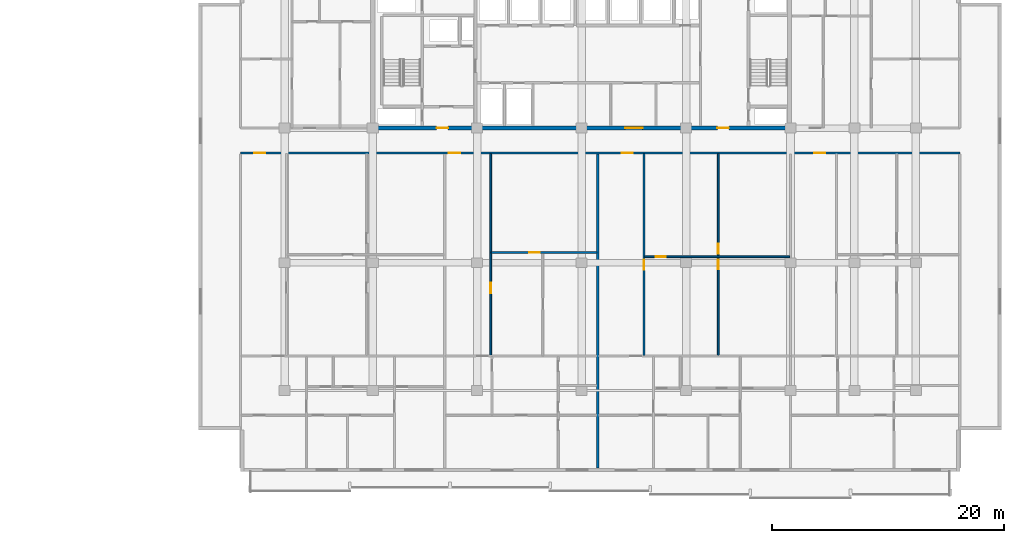
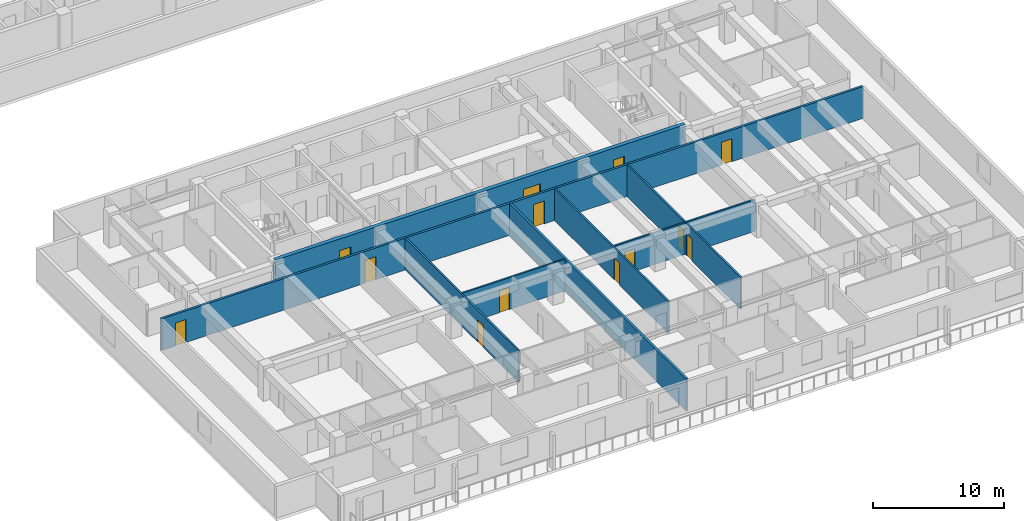
# One storey, part 6 of 23: 13 doors, 8 walls, 13 openings.
"""IFC4 building model written with IfcOpenShell, lengths in metres."""

from ifc_helpers import new_model, si_unit, direction, frame, frame_2d, origin, place, context, subcontext, project, spatial, rectangle, extrude, material, layer, layer_set, type_object, element, fill, save


model = new_model("IFC4")

# Units and contexts
model_context = context("Model", 3, precision=1e-05, world=origin(), true_north=direction((0.0, 1.0)))
body_context = subcontext(model_context, "Body", "Model", "MODEL_VIEW")
ifc_project = project(units=[si_unit("LENGTHUNIT", "METRE"), si_unit("AREAUNIT", "SQUARE_METRE"), si_unit("VOLUMEUNIT", "CUBIC_METRE"), si_unit("PLANEANGLEUNIT", "RADIAN"), si_unit("MASSUNIT", "GRAM", prefix="KILO")], contexts=[model_context])

# Site, building, storey
site_placement = place(None, origin())
site = spatial("IfcSite", under=ifc_project, at=site_placement, CompositionType="ELEMENT")
building_placement = place(site_placement, origin())
building = spatial("IfcBuilding", under=site, at=building_placement, Name="Korimba Cascade Residences", CompositionType="ELEMENT")
storey_placement = place(building_placement, frame((0.0, 0.0, 72.75)))
storey = spatial("IfcBuildingStorey", under=building, at=storey_placement, Name="L20", CompositionType="ELEMENT", Elevation=72.75)

# Wall, openings, doors
ifc_material_1 = material(Name="Concrete C65/80", Category="concrete")
ifc_layer_1 = layer(ifc_material_1, 0.35009765625)
ifc_layer_set_1 = layer_set([ifc_layer_1], Name="Concrete C65/80")
wall_type_1 = type_object("IfcWallType", Name="WAL-CORE-350", PredefinedType="SHEAR", material=ifc_layer_set_1)
wall_1_placement = place(storey_placement, frame((81.925048828125, 18.39990234375, 0.0), z_axis=(0.0, 0.0, 1.0), x_axis=(1.0, 0.0, 0.0)))
wall_1 = element("IfcWall", 1, at=wall_1_placement, inside=storey, type_object=wall_type_1, Name="L20 Core Shear Wall CW-L20-T2-S", PredefinedType="SHEAR", context=body_context, shape_type="SweptSolid", body=[
    extrude(rectangle(XDim=36.264892578125, YDim=0.35009765625, at=frame_2d((18.13232421875, 0.0))), origin(), (0.0, 0.0, 1.0), 3.25),
])
opening_1_placement = place(wall_1_placement, frame((5.675048828125, 0.0, 0.0)))
opening_1 = element("IfcOpeningElement", 2, at=opening_1_placement, cuts=wall_1, Name="Opening D-FD5", PredefinedType="OPENING", context=body_context, shape_type="SweptSolid", body=[
    extrude(rectangle(XDim=1.0, YDim=2.14990234375, at=frame_2d((0.5, 1.074951171875))), frame((0.0, 0.18505859375, 0.0), z_axis=(0.0, -1.0, 0.0), x_axis=(1.0, 0.0, 0.0)), (0.0, 0.0, 1.0), 0.3701171875),
])
opening_2_placement = place(wall_1_placement, frame((21.925048828125, 0.0, 0.0)))
opening_2 = element("IfcOpeningElement", 3, at=opening_2_placement, cuts=wall_1, Name="Opening D-FD8", PredefinedType="OPENING", context=body_context, shape_type="SweptSolid", body=[
    extrude(rectangle(XDim=1.5, YDim=2.199951171875, at=frame_2d((0.75, 1.10009765625))), frame((0.0, 0.18505859375, 0.0), z_axis=(0.0, -1.0, 0.0), x_axis=(1.0, 0.0, 0.0)), (0.0, 0.0, 1.0), 0.3701171875),
])
opening_3_placement = place(wall_1_placement, frame((29.875, 0.0, 0.0)))
opening_3 = element("IfcOpeningElement", 4, at=opening_3_placement, cuts=wall_1, Name="Opening D-FD5", PredefinedType="OPENING", context=body_context, shape_type="SweptSolid", body=[
    extrude(rectangle(XDim=1.0, YDim=2.14990234375, at=frame_2d((0.5, 1.074951171875))), frame((0.0, 0.18505859375, 0.0), z_axis=(0.0, -1.0, 0.0), x_axis=(1.0, 0.0, 0.0)), (0.0, 0.0, 1.0), 0.3701171875),
])
ifc_material_2 = material(Name="Fire-Rated Acoustic Timber Vestibule Door", Category="wood")
door_type_1 = type_object("IfcDoorType", Name="DR-FD90-1000", OperationType="NOTDEFINED", PredefinedType="DOOR", material=ifc_material_2)
door_1_placement = place(opening_1_placement, origin())
door_1 = element("IfcDoor", 5, at=door_1_placement, inside=storey, type_object=door_type_1, Name="L20 T2 West Core Vestibule Fire Door", OperationType="SINGLE_SWING_RIGHT", OverallHeight=2.14990234375, OverallWidth=1.0, PredefinedType="DOOR", context=body_context, shape_type="SweptSolid", body=[
    extrude(rectangle(XDim=1.0, YDim=2.14990234375, at=frame_2d((0.5, 1.074951171875))), frame((0.0, 0.02490234375, 0.0), z_axis=(0.0, -1.0, 0.0), x_axis=(1.0, 0.0, 0.0)), (0.0, 0.0, 1.0), 0.050048828125),
])
fill(opening_1, door_1)
door_2_placement = place(opening_3_placement, origin())
door_2 = element("IfcDoor", 6, at=door_2_placement, inside=storey, type_object=door_type_1, Name="L20 T2 East Stair Vestibule Fire Door", OperationType="SINGLE_SWING_LEFT", OverallHeight=2.14990234375, OverallWidth=1.0, PredefinedType="DOOR", context=body_context, shape_type="SweptSolid", body=[
    extrude(rectangle(XDim=1.0, YDim=2.14990234375, at=frame_2d((0.5, 1.074951171875))), frame((0.0, 0.02490234375, 0.0), z_axis=(0.0, -1.0, 0.0), x_axis=(1.0, 0.0, 0.0)), (0.0, 0.0, 1.0), 0.050048828125),
])
fill(opening_3, door_2)
ifc_material_3 = material(Name="Fire-Rated Glazed Lift Lobby Double Door", Category="glass")
door_type_2 = type_object("IfcDoorType", Name="DR-FD90-1500", OperationType="NOTDEFINED", PredefinedType="DOOR", material=ifc_material_3)
door_3_placement = place(opening_2_placement, origin())
door_3 = element("IfcDoor", 7, at=door_3_placement, inside=storey, type_object=door_type_2, Name="L20 T2 Lift Lobby Fire Door", OperationType="DOUBLE_DOOR_SINGLE_SWING", OverallHeight=2.199951171875, OverallWidth=1.5, PredefinedType="DOOR", context=body_context, shape_type="SweptSolid", body=[
    extrude(rectangle(XDim=1.5, YDim=2.199951171875, at=frame_2d((0.75, 1.10009765625))), frame((0.0, 0.02490234375, 0.0), z_axis=(0.0, -1.0, 0.0), x_axis=(1.0, 0.0, 0.0)), (0.0, 0.0, 1.0), 0.050048828125),
])
fill(opening_2, door_3)

# Wall
ifc_material_4 = material(Name="Precast concrete C40/50", Category="concrete")
ifc_layer_2 = layer(ifc_material_4, 0.199951171875)
ifc_layer_set_2 = layer_set([ifc_layer_2], Name="Precast concrete C40/50")
wall_type_2 = type_object("IfcWallType", Name="WAL-IT-200", PredefinedType="PARTITIONING", material=ifc_layer_set_2)
wall_2_placement = place(storey_placement, frame((101.5, -10.89990234375, 0.0), z_axis=(0.0, 0.0, 1.0), x_axis=(0.0, 1.0, 0.0)))
element("IfcWall", 8, at=wall_2_placement, inside=storey, type_object=wall_type_2, Name="L20 Partition Wall WAL-L20-T2-DEM-2", PredefinedType="PARTITIONING", context=body_context, shape_type="SweptSolid", body=[
    extrude(rectangle(XDim=27.06982421875, YDim=0.199951171875, at=frame_2d((13.534912109375, 0.0))), origin(), (0.0, 0.0, 1.0), 2.969970703125),
])

# Wall, openings, doors
wall_3_placement = place(storey_placement, frame((70.699951171875, 16.25, 0.0), z_axis=(0.0, 0.0, 1.0), x_axis=(1.0, 0.0, 0.0)))
wall_3 = element("IfcWall", 9, at=wall_3_placement, inside=storey, type_object=wall_type_2, Name="L20 Partition Wall WAL-L20-T2-CORS", PredefinedType="PARTITIONING", context=body_context, shape_type="SweptSolid", body=[
    extrude(rectangle(XDim=62.0, YDim=0.199951171875, at=frame_2d((31.0, 0.0))), origin(), (0.0, 0.0, 1.0), 2.969970703125),
])
opening_4_placement = place(wall_3_placement, frame((1.18603515625, 0.0, 0.0)))
opening_4 = element("IfcOpeningElement", 10, at=opening_4_placement, cuts=wall_3, Name="Opening D-UN1", PredefinedType="OPENING", context=body_context, shape_type="SweptSolid", body=[
    extrude(rectangle(XDim=0.949951171875, YDim=2.14990234375, at=frame_2d((0.47509765625, 1.074951171875))), frame((0.0, 0.10986328125, 0.0), z_axis=(0.0, -1.0, 0.0), x_axis=(1.0, 0.0, 0.0)), (0.0, 0.0, 1.0), 0.219970703125),
])
opening_5_placement = place(wall_3_placement, frame((17.969970703125, 0.0, 0.0)))
opening_5 = element("IfcOpeningElement", 11, at=opening_5_placement, cuts=wall_3, Name="Opening D-UN1", PredefinedType="OPENING", context=body_context, shape_type="SweptSolid", body=[
    extrude(rectangle(XDim=0.949951171875, YDim=2.14990234375, at=frame_2d((0.47509765625, 1.074951171875))), frame((0.0, 0.10986328125, 0.0), z_axis=(0.0, -1.0, 0.0), x_axis=(1.0, 0.0, 0.0)), (0.0, 0.0, 1.0), 0.219970703125),
])
opening_6_placement = place(wall_3_placement, frame((32.844970703125, 0.0, 0.0)))
opening_6 = element("IfcOpeningElement", 12, at=opening_6_placement, cuts=wall_3, Name="Opening D-UN1", PredefinedType="OPENING", context=body_context, shape_type="SweptSolid", body=[
    extrude(rectangle(XDim=0.949951171875, YDim=2.14990234375, at=frame_2d((0.47509765625, 1.074951171875))), frame((0.0, 0.10986328125, 0.0), z_axis=(0.0, -1.0, 0.0), x_axis=(1.0, 0.0, 0.0)), (0.0, 0.0, 1.0), 0.219970703125),
])
opening_7_placement = place(wall_3_placement, frame((49.445068359375, 0.0, 0.0)))
opening_7 = element("IfcOpeningElement", 13, at=opening_7_placement, cuts=wall_3, Name="Opening D-UN1", PredefinedType="OPENING", context=body_context, shape_type="SweptSolid", body=[
    extrude(rectangle(XDim=0.949951171875, YDim=2.14990234375, at=frame_2d((0.47509765625, 1.074951171875))), frame((0.0, 0.10986328125, 0.0), z_axis=(0.0, -1.0, 0.0), x_axis=(1.0, 0.0, 0.0)), (0.0, 0.0, 1.0), 0.219970703125),
])
ifc_material_5 = material(Name="Fire-Rated Hardwood Apartment Entrance Door", Category="wood")
door_type_3 = type_object("IfcDoorType", Name="DR-FD60-950", OperationType="NOTDEFINED", PredefinedType="DOOR", material=ifc_material_5)
door_4_placement = place(opening_4_placement, origin())
door_4 = element("IfcDoor", 14, at=door_4_placement, inside=storey, type_object=door_type_3, Name="Unit L20-T2-U01 Entrance Door", OperationType="SINGLE_SWING_RIGHT", OverallHeight=2.14990234375, OverallWidth=0.949951171875, PredefinedType="DOOR", context=body_context, shape_type="SweptSolid", body=[
    extrude(rectangle(XDim=0.949951171875, YDim=2.14990234375, at=frame_2d((0.47509765625, 1.074951171875))), frame((0.0, 0.02490234375, 0.0), z_axis=(0.0, -1.0, 0.0), x_axis=(1.0, 0.0, 0.0)), (0.0, 0.0, 1.0), 0.050048828125),
])
fill(opening_4, door_4)
door_5_placement = place(opening_5_placement, origin())
door_5 = element("IfcDoor", 15, at=door_5_placement, inside=storey, type_object=door_type_3, Name="Unit L20-T2-U02 Entrance Door", OperationType="SINGLE_SWING_LEFT", OverallHeight=2.14990234375, OverallWidth=0.949951171875, PredefinedType="DOOR", context=body_context, shape_type="SweptSolid", body=[
    extrude(rectangle(XDim=0.949951171875, YDim=2.14990234375, at=frame_2d((0.47509765625, 1.074951171875))), frame((0.0, 0.02490234375, 0.0), z_axis=(0.0, -1.0, 0.0), x_axis=(1.0, 0.0, 0.0)), (0.0, 0.0, 1.0), 0.050048828125),
])
fill(opening_5, door_5)
door_6_placement = place(opening_6_placement, origin())
door_6 = element("IfcDoor", 16, at=door_6_placement, inside=storey, type_object=door_type_3, Name="Unit L20-T2-U03 Entrance Door", OperationType="SINGLE_SWING_RIGHT", OverallHeight=2.14990234375, OverallWidth=0.949951171875, PredefinedType="DOOR", context=body_context, shape_type="SweptSolid", body=[
    extrude(rectangle(XDim=0.949951171875, YDim=2.14990234375, at=frame_2d((0.47509765625, 1.074951171875))), frame((0.0, 0.02490234375, 0.0), z_axis=(0.0, -1.0, 0.0), x_axis=(1.0, 0.0, 0.0)), (0.0, 0.0, 1.0), 0.050048828125),
])
fill(opening_6, door_6)
door_7_placement = place(opening_7_placement, origin())
door_7 = element("IfcDoor", 17, at=door_7_placement, inside=storey, type_object=door_type_3, Name="Unit L20-T2-U04 Entrance Door", OperationType="SINGLE_SWING_LEFT", OverallHeight=2.14990234375, OverallWidth=0.949951171875, PredefinedType="DOOR", context=body_context, shape_type="SweptSolid", body=[
    extrude(rectangle(XDim=0.949951171875, YDim=2.14990234375, at=frame_2d((0.47509765625, 1.074951171875))), frame((0.0, 0.02490234375, 0.0), z_axis=(0.0, -1.0, 0.0), x_axis=(1.0, 0.0, 0.0)), (0.0, 0.0, 1.0), 0.050048828125),
])
fill(opening_7, door_7)

# Wall, opening, door
ifc_material_6 = material(Name="Insulated Acoustic Stud Partition", Category="gypsum")
ifc_layer_3 = layer(ifc_material_6, 0.14990234375)
ifc_layer_set_3 = layer_set([ifc_layer_3], Name="Insulated Acoustic Stud Partition")
wall_type_3 = type_object("IfcWallType", Name="WAL-PART-150", PredefinedType="PARTITIONING", material=ifc_layer_set_3)
wall_4_placement = place(storey_placement, frame((92.330078125, 7.669921875, 0.0), z_axis=(0.0, 0.0, 1.0), x_axis=(1.0, 0.0, 0.0)))
wall_4 = element("IfcWall", 18, at=wall_4_placement, inside=storey, type_object=wall_type_3, Name="L20 Partition Wall WAL-L20-T2-U02-FMH", PredefinedType="PARTITIONING", context=body_context, shape_type="SweptSolid", body=[
    extrude(rectangle(XDim=9.08984375, YDim=0.14990234375, at=frame_2d((4.544921875, 0.0))), origin(), (0.0, 0.0, 1.0), 2.969970703125),
])
opening_8_placement = place(wall_4_placement, frame((3.265380859375, 0.0, 0.0)))
opening_8 = element("IfcOpeningElement", 19, at=opening_8_placement, cuts=wall_4, Name="Opening D-IN2", PredefinedType="OPENING", context=body_context, shape_type="SweptSolid", body=[
    extrude(rectangle(XDim=0.8798828125, YDim=2.06005859375, at=frame_2d((0.43994140625, 1.030029296875))), frame((0.0, 0.0849609375, 0.0), z_axis=(0.0, -1.0, 0.0), x_axis=(1.0, 0.0, 0.0)), (0.0, 0.0, 1.0), 0.169921875),
])
ifc_material_7 = material(Name="Acoustic Timber Bedroom Door", Category="wood")
door_type_4 = type_object("IfcDoorType", Name="DR-INT-880", OperationType="NOTDEFINED", PredefinedType="DOOR", material=ifc_material_7)
door_8_placement = place(opening_8_placement, origin())
door_8 = element("IfcDoor", 20, at=door_8_placement, inside=storey, type_object=door_type_4, Name="L20-T2-U02 Library Salon Door", OperationType="SINGLE_SWING_LEFT", OverallHeight=2.06005859375, OverallWidth=0.8798828125, PredefinedType="DOOR", context=body_context, shape_type="SweptSolid", body=[
    extrude(rectangle(XDim=0.8798828125, YDim=2.06005859375, at=frame_2d((0.43994140625, 1.030029296875))), frame((0.0, 0.02490234375, 0.0), z_axis=(0.0, -1.0, 0.0), x_axis=(1.0, 0.0, 0.0)), (0.0, 0.0, 1.0), 0.050048828125),
])
fill(opening_8, door_8)

wall_5_placement = place(storey_placement, frame((92.27001953125, -1.2099609375, 0.0), z_axis=(0.0, 0.0, 1.0), x_axis=(0.0, 1.0, 0.0)))
wall_5 = element("IfcWall", 21, at=wall_5_placement, inside=storey, type_object=wall_type_3, Name="L20 Partition Wall WAL-L20-T2-U02-FV", PredefinedType="PARTITIONING", context=body_context, shape_type="SweptSolid", body=[
    extrude(rectangle(XDim=17.39990234375, YDim=0.14990234375, at=frame_2d((8.699951171875, 0.0))), origin(), (0.0, 0.0, 1.0), 2.969970703125),
])
opening_9_placement = place(wall_5_placement, frame((5.382080078125, 0.0, 0.0)))
opening_9 = element("IfcOpeningElement", 22, at=opening_9_placement, cuts=wall_5, Name="Opening D-IN2", PredefinedType="OPENING", context=body_context, shape_type="SweptSolid", body=[
    extrude(rectangle(XDim=0.8798828125, YDim=2.06005859375, at=frame_2d((0.43994140625, 1.030029296875))), frame((0.0, 0.0849609375, 0.0), z_axis=(0.0, -1.0, 0.0), x_axis=(1.0, 0.0, 0.0)), (0.0, 0.0, 1.0), 0.169921875),
])
door_9_placement = place(opening_9_placement, origin())
door_9 = element("IfcDoor", 23, at=door_9_placement, inside=storey, type_object=door_type_4, Name="L20-T2-U02 Media Lounge Door", OperationType="SINGLE_SWING_RIGHT", OverallHeight=2.06005859375, OverallWidth=0.8798828125, PredefinedType="DOOR", context=body_context, shape_type="SweptSolid", body=[
    extrude(rectangle(XDim=0.8798828125, YDim=2.06005859375, at=frame_2d((0.43994140625, 1.030029296875))), frame((0.0, 0.02490234375, 0.0), z_axis=(0.0, -1.0, 0.0), x_axis=(1.0, 0.0, 0.0)), (0.0, 0.0, 1.0), 0.050048828125),
])
fill(opening_9, door_9)

# Wall, openings, doors
wall_6_placement = place(storey_placement, frame((111.875, -1.2099609375, 0.0), z_axis=(0.0, 0.0, 1.0), x_axis=(0.0, 1.0, 0.0)))
wall_6 = element("IfcWall", 24, at=wall_6_placement, inside=storey, type_object=wall_type_3, Name="L20 Partition Wall WAL-L20-T2-U03-FMV", PredefinedType="PARTITIONING", context=body_context, shape_type="SweptSolid", body=[
    extrude(rectangle(XDim=17.39990234375, YDim=0.14990234375, at=frame_2d((8.699951171875, 0.0))), origin(), (0.0, 0.0, 1.0), 2.969970703125),
])
opening_10_placement = place(wall_6_placement, frame((7.429931640625, 0.0, 0.0)))
opening_10 = element("IfcOpeningElement", 25, at=opening_10_placement, cuts=wall_6, Name="Opening D-BT1", PredefinedType="OPENING", context=body_context, shape_type="SweptSolid", body=[
    extrude(rectangle(XDim=0.840087890625, YDim=2.0400390625, at=frame_2d((0.419921875, 1.02001953125))), frame((0.0, 0.0849609375, 0.0), z_axis=(0.0, -1.0, 0.0), x_axis=(1.0, 0.0, 0.0)), (0.0, 0.0, 1.0), 0.169921875),
])
opening_11_placement = place(wall_6_placement, frame((8.77001953125, 0.0, 0.0)))
opening_11 = element("IfcOpeningElement", 26, at=opening_11_placement, cuts=wall_6, Name="Opening D-IN2", PredefinedType="OPENING", context=body_context, shape_type="SweptSolid", body=[
    extrude(rectangle(XDim=0.8798828125, YDim=2.06005859375, at=frame_2d((0.43994140625, 1.030029296875))), frame((0.0, 0.0849609375, 0.0), z_axis=(0.0, -1.0, 0.0), x_axis=(1.0, 0.0, 0.0)), (0.0, 0.0, 1.0), 0.169921875),
])
ifc_material_8 = material(Name="Moisture-Resistant Bathroom Timber Door", Category="wood")
door_type_5 = type_object("IfcDoorType", Name="DR-INT-850", OperationType="NOTDEFINED", PredefinedType="DOOR", material=ifc_material_8)
door_10_placement = place(opening_10_placement, origin())
door_10 = element("IfcDoor", 27, at=door_10_placement, inside=storey, type_object=door_type_5, Name="L20-T2-U03 Wardrobe Door", OperationType="SINGLE_SWING_LEFT", OverallHeight=2.0400390625, OverallWidth=0.840087890625, PredefinedType="DOOR", context=body_context, shape_type="SweptSolid", body=[
    extrude(rectangle(XDim=0.840087890625, YDim=2.0400390625, at=frame_2d((0.419921875, 1.02001953125))), frame((0.0, 0.02490234375, 0.0), z_axis=(0.0, -1.0, 0.0), x_axis=(1.0, 0.0, 0.0)), (0.0, 0.0, 1.0), 0.050048828125),
])
fill(opening_10, door_10)
door_11_placement = place(opening_11_placement, origin())
door_11 = element("IfcDoor", 28, at=door_11_placement, inside=storey, type_object=door_type_4, Name="L20-T2-U03 Music Lounge Door", OperationType="SINGLE_SWING_RIGHT", OverallHeight=2.06005859375, OverallWidth=0.8798828125, PredefinedType="DOOR", context=body_context, shape_type="SweptSolid", body=[
    extrude(rectangle(XDim=0.8798828125, YDim=2.06005859375, at=frame_2d((0.43994140625, 1.030029296875))), frame((0.0, 0.02490234375, 0.0), z_axis=(0.0, -1.0, 0.0), x_axis=(1.0, 0.0, 0.0)), (0.0, 0.0, 1.0), 0.050048828125),
])
fill(opening_11, door_11)

# Wall, opening, door
wall_7_placement = place(storey_placement, frame((105.530029296875, 7.31005859375, 0.0), z_axis=(0.0, 0.0, 1.0), x_axis=(1.0, 0.0, 0.0)))
wall_7 = element("IfcWall", 29, at=wall_7_placement, inside=storey, type_object=wall_type_3, Name="L20 Partition Wall WAL-L20-T2-U03-FMH", PredefinedType="PARTITIONING", context=body_context, shape_type="SweptSolid", body=[
    extrude(rectangle(XDim=12.489990234375, YDim=0.14990234375, at=frame_2d((6.2451171875, 0.0))), origin(), (0.0, 0.0, 1.0), 2.969970703125),
])
opening_12_placement = place(wall_7_placement, frame((0.9375, 0.0, 0.0)))
opening_12 = element("IfcOpeningElement", 30, at=opening_12_placement, cuts=wall_7, Name="Opening D-IN2", PredefinedType="OPENING", context=body_context, shape_type="SweptSolid", body=[
    extrude(rectangle(XDim=0.8798828125, YDim=2.06005859375, at=frame_2d((0.43994140625, 1.030029296875))), frame((0.0, 0.0849609375, 0.0), z_axis=(0.0, -1.0, 0.0), x_axis=(1.0, 0.0, 0.0)), (0.0, 0.0, 1.0), 0.169921875),
])
door_12_placement = place(opening_12_placement, origin())
door_12 = element("IfcDoor", 31, at=door_12_placement, inside=storey, type_object=door_type_4, Name="L20-T2-U03 Library Salon Door", OperationType="SINGLE_SWING_LEFT", OverallHeight=2.06005859375, OverallWidth=0.8798828125, PredefinedType="DOOR", context=body_context, shape_type="SweptSolid", body=[
    extrude(rectangle(XDim=0.8798828125, YDim=2.06005859375, at=frame_2d((0.43994140625, 1.030029296875))), frame((0.0, 0.02490234375, 0.0), z_axis=(0.0, -1.0, 0.0), x_axis=(1.0, 0.0, 0.0)), (0.0, 0.0, 1.0), 0.050048828125),
])
fill(opening_12, door_12)

wall_8_placement = place(storey_placement, frame((105.469970703125, -1.2099609375, 0.0), z_axis=(0.0, 0.0, 1.0), x_axis=(0.0, 1.0, 0.0)))
wall_8 = element("IfcWall", 32, at=wall_8_placement, inside=storey, type_object=wall_type_3, Name="L20 Partition Wall WAL-L20-T2-U03-FV", PredefinedType="PARTITIONING", context=body_context, shape_type="SweptSolid", body=[
    extrude(rectangle(XDim=17.39990234375, YDim=0.14990234375, at=frame_2d((8.699951171875, 0.0))), origin(), (0.0, 0.0, 1.0), 2.969970703125),
])
opening_13_placement = place(wall_8_placement, frame((7.389892578125, 0.0, 0.0)))
opening_13 = element("IfcOpeningElement", 33, at=opening_13_placement, cuts=wall_8, Name="Opening D-IN2", PredefinedType="OPENING", context=body_context, shape_type="SweptSolid", body=[
    extrude(rectangle(XDim=0.8798828125, YDim=2.06005859375, at=frame_2d((0.43994140625, 1.030029296875))), frame((0.0, 0.0849609375, 0.0), z_axis=(0.0, -1.0, 0.0), x_axis=(1.0, 0.0, 0.0)), (0.0, 0.0, 1.0), 0.169921875),
])
door_13_placement = place(opening_13_placement, origin())
door_13 = element("IfcDoor", 34, at=door_13_placement, inside=storey, type_object=door_type_4, Name="L20-T2-U03 Media Lounge Door", OperationType="SINGLE_SWING_RIGHT", OverallHeight=2.06005859375, OverallWidth=0.8798828125, PredefinedType="DOOR", context=body_context, shape_type="SweptSolid", body=[
    extrude(rectangle(XDim=0.8798828125, YDim=2.06005859375, at=frame_2d((0.43994140625, 1.030029296875))), frame((0.0, 0.02490234375, 0.0), z_axis=(0.0, -1.0, 0.0), x_axis=(1.0, 0.0, 0.0)), (0.0, 0.0, 1.0), 0.050048828125),
])
fill(opening_13, door_13)

save(model, "model.ifc")
